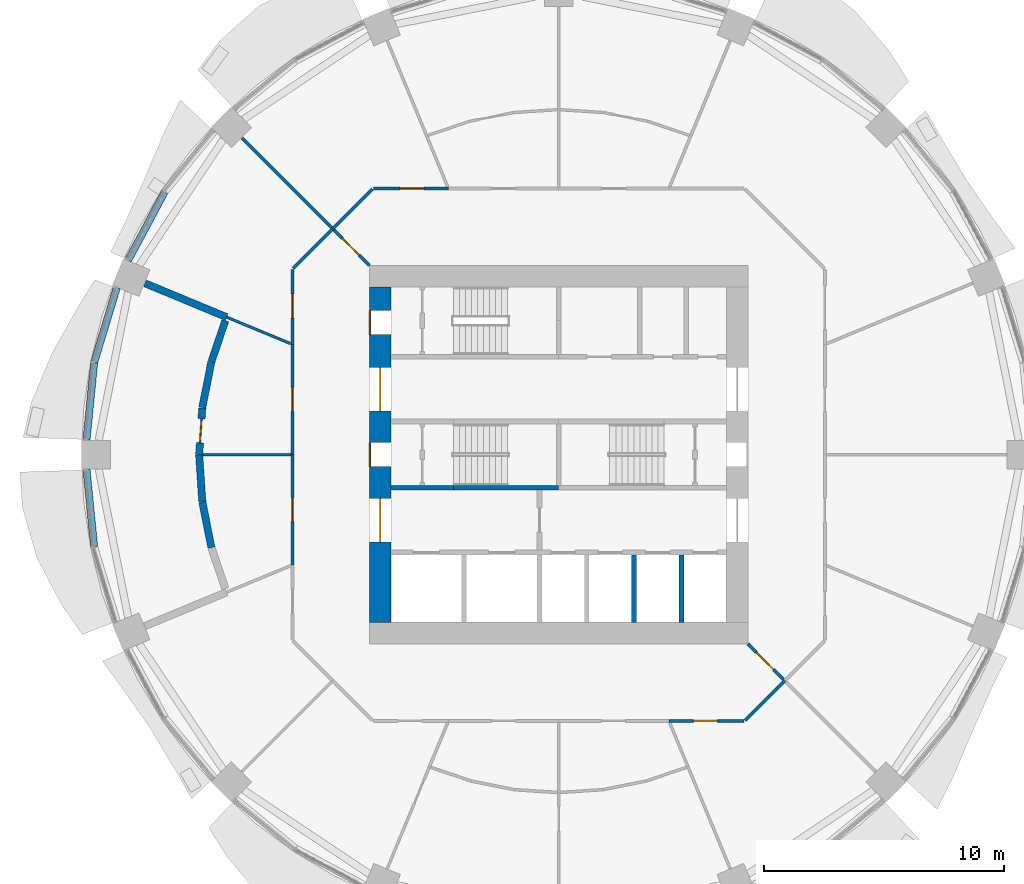
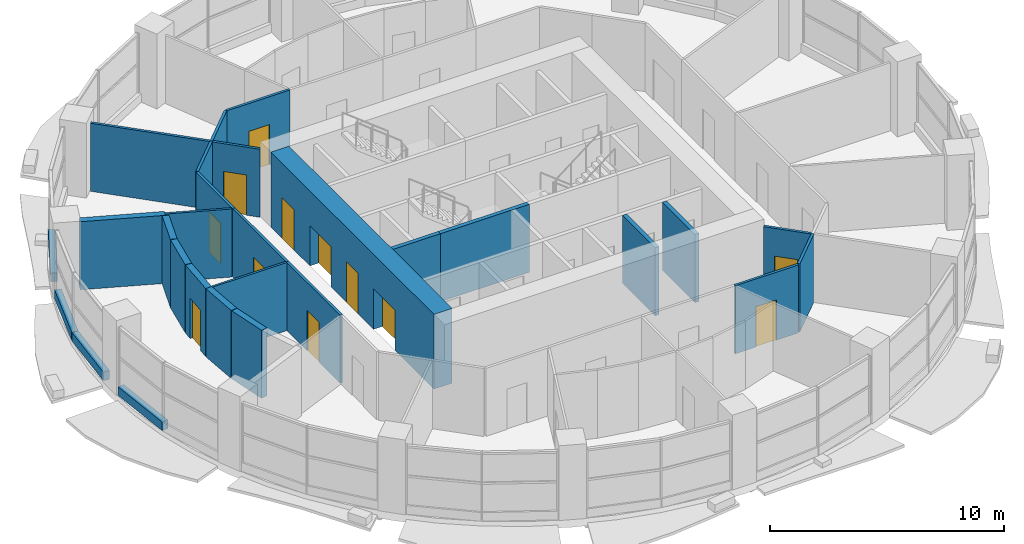
# One storey, part 8 of 15: 28 walls, 12 doors, 12 openings.
"""IFC4 building model written with IfcOpenShell, lengths in metres."""

from ifc_helpers import new_model, si_unit, direction, frame, frame_2d, origin, place, context, subcontext, project, spatial, rectangle, extrude, material, layer, layer_set, type_object, element, fill, save


model = new_model("IFC4")

# Units and contexts
model_context = context("Model", 3, precision=1e-05, world=origin(), true_north=direction((0.0, 1.0)))
body_context = subcontext(model_context, "Body", "Model", "MODEL_VIEW")
ifc_project = project(units=[si_unit("LENGTHUNIT", "METRE"), si_unit("AREAUNIT", "SQUARE_METRE"), si_unit("VOLUMEUNIT", "CUBIC_METRE"), si_unit("PLANEANGLEUNIT", "RADIAN"), si_unit("MASSUNIT", "GRAM", prefix="KILO")], contexts=[model_context])

# Site, building, storey
site_placement = place(None, origin())
site = spatial("IfcSite", under=ifc_project, at=site_placement, CompositionType="ELEMENT")
building_placement = place(site_placement, origin())
building = spatial("IfcBuilding", under=site, at=building_placement, Name="Polderwave Tower", CompositionType="ELEMENT")
storey_placement = place(building_placement, frame((0.0, 0.0, 18.5)))
storey = spatial("IfcBuildingStorey", under=building, at=storey_placement, Name="L04", CompositionType="ELEMENT", Elevation=18.5)

# Wall, openings, doors
ifc_material_1 = material(Name="Concrete C80/95", Category="concrete")
ifc_layer_1 = layer(ifc_material_1, 0.89990234375)
ifc_layer_set_1 = layer_set([ifc_layer_1], Name="CORE WALL 900 C80/95")
wall_type_1 = type_object("IfcWallType", Name="CORE WALL 900 C80/95", PredefinedType="SHEAR", material=ifc_layer_set_1)
wall_1_placement = place(storey_placement, frame((-7.424072265625, -6.97412109375, 0.0), z_axis=(0.0, 0.0, 1.0), x_axis=(0.0, 1.0, 0.0)))
wall_1 = element("IfcWall", 1, at=wall_1_placement, inside=storey, type_object=wall_type_1, Name="ST-CORE-L04-W", PredefinedType="SHEAR", context=body_context, shape_type="SweptSolid", body=[
    extrude(rectangle(XDim=13.9482421875, YDim=0.89990234375, at=frame_2d((6.97412109375, 0.0))), origin(), (0.0, 0.0, 1.0), 3.89990234375),
])
opening_1_placement = place(wall_1_placement, frame((6.47412109375, 0.0, 0.0)))
opening_1 = element("IfcOpeningElement", 2, at=opening_1_placement, cuts=wall_1, Name="Opening L04-D17", PredefinedType="OPENING", context=body_context, shape_type="SweptSolid", body=[
    extrude(rectangle(XDim=1.0, YDim=2.10009765625, at=frame_2d((0.5, 1.050048828125))), frame((0.0, 0.4599609375, 0.0), z_axis=(0.0, -1.0, 0.0), x_axis=(1.0, 0.0, 0.0)), (0.0, 0.0, 1.0), 0.919921875),
])
opening_2_placement = place(wall_1_placement, frame((3.349609375, 0.0, 0.0)))
opening_2 = element("IfcOpeningElement", 3, at=opening_2_placement, cuts=wall_1, Name="Opening L04-D18", PredefinedType="OPENING", context=body_context, shape_type="SweptSolid", body=[
    extrude(rectangle(XDim=1.800048828125, YDim=2.10009765625, at=frame_2d((0.89990234375, 1.050048828125))), frame((0.0, 0.4599609375, 0.0), z_axis=(0.0, -1.0, 0.0), x_axis=(1.0, 0.0, 0.0)), (0.0, 0.0, 1.0), 0.919921875),
])
opening_3_placement = place(wall_1_placement, frame((8.798583984375, 0.0, 0.0)))
opening_3 = element("IfcOpeningElement", 4, at=opening_3_placement, cuts=wall_1, Name="Opening L04-D19", PredefinedType="OPENING", context=body_context, shape_type="SweptSolid", body=[
    extrude(rectangle(XDim=1.800048828125, YDim=2.10009765625, at=frame_2d((0.89990234375, 1.050048828125))), frame((0.0, 0.4599609375, 0.0), z_axis=(0.0, -1.0, 0.0), x_axis=(1.0, 0.0, 0.0)), (0.0, 0.0, 1.0), 0.919921875),
])
opening_4_placement = place(wall_1_placement, frame((11.97412109375, 0.0, 0.0)))
opening_4 = element("IfcOpeningElement", 5, at=opening_4_placement, cuts=wall_1, Name="Opening L04-D20", PredefinedType="OPENING", context=body_context, shape_type="SweptSolid", body=[
    extrude(rectangle(XDim=1.0, YDim=2.10009765625, at=frame_2d((0.5, 1.050048828125))), frame((0.0, 0.4599609375, 0.0), z_axis=(0.0, -1.0, 0.0), x_axis=(1.0, 0.0, 0.0)), (0.0, 0.0, 1.0), 0.919921875),
])
ifc_material_2 = material(Name="Steel fire door", Category="steel")
door_type_1 = type_object("IfcDoorType", Name="Lobby entry door pair 1800", OperationType="DOUBLE_DOOR_SINGLE_SWING", PredefinedType="DOOR", material=ifc_material_2)
door_1_placement = place(opening_2_placement, origin())
door_1 = element("IfcDoor", 6, at=door_1_placement, inside=storey, type_object=door_type_1, Name="Fire-fighting lobby entry door", OperationType="DOUBLE_DOOR_SINGLE_SWING", OverallHeight=2.10009765625, OverallWidth=1.800048828125, PredefinedType="DOOR", context=body_context, shape_type="SweptSolid", body=[
    extrude(rectangle(XDim=1.800048828125, YDim=2.10009765625, at=frame_2d((0.89990234375, 1.050048828125))), frame((0.0, 0.02490234375, 0.0), z_axis=(0.0, -1.0, 0.0), x_axis=(1.0, 0.0, 0.0)), (0.0, 0.0, 1.0), 0.050048828125),
])
fill(opening_2, door_1)
door_2_placement = place(opening_3_placement, origin())
door_2 = element("IfcDoor", 7, at=door_2_placement, inside=storey, type_object=door_type_1, Name="North lobby entry door", OperationType="DOUBLE_DOOR_SINGLE_SWING", OverallHeight=2.10009765625, OverallWidth=1.800048828125, PredefinedType="DOOR", context=body_context, shape_type="SweptSolid", body=[
    extrude(rectangle(XDim=1.800048828125, YDim=2.10009765625, at=frame_2d((0.89990234375, 1.050048828125))), frame((0.0, 0.02490234375, 0.0), z_axis=(0.0, -1.0, 0.0), x_axis=(1.0, 0.0, 0.0)), (0.0, 0.0, 1.0), 0.050048828125),
])
fill(opening_3, door_2)
door_type_2 = type_object("IfcDoorType", Name="Stair door 1000", OperationType="NOTDEFINED", PredefinedType="DOOR", material=ifc_material_2)
door_3_placement = place(opening_1_placement, origin())
door_3 = element("IfcDoor", 8, at=door_3_placement, inside=storey, type_object=door_type_2, Name="Stair A entry door", OperationType="SINGLE_SWING_RIGHT", OverallHeight=2.10009765625, OverallWidth=1.0, PredefinedType="DOOR", context=body_context, shape_type="SweptSolid", body=[
    extrude(rectangle(XDim=1.0, YDim=2.10009765625, at=frame_2d((0.5, 1.050048828125))), frame((0.0, 0.4501953125, 0.0), z_axis=(0.0, -1.0, 0.0), x_axis=(1.0, 0.0, 0.0)), (0.0, 0.0, 1.0), 0.050048828125),
])
fill(opening_1, door_3)
door_4_placement = place(opening_4_placement, origin())
door_4 = element("IfcDoor", 9, at=door_4_placement, inside=storey, type_object=door_type_2, Name="Stair C entry door", OperationType="SINGLE_SWING_RIGHT", OverallHeight=2.10009765625, OverallWidth=1.0, PredefinedType="DOOR", context=body_context, shape_type="SweptSolid", body=[
    extrude(rectangle(XDim=1.0, YDim=2.10009765625, at=frame_2d((0.5, 1.050048828125))), frame((0.0, 0.4501953125, 0.0), z_axis=(0.0, -1.0, 0.0), x_axis=(1.0, 0.0, 0.0)), (0.0, 0.0, 1.0), 0.050048828125),
])
fill(opening_4, door_4)

# Wall, opening, door
ifc_material_3 = material(Name="Insulated sandwich panel")
ifc_layer_2 = layer(ifc_material_3, 0.300048828125)
ifc_layer_set_2 = layer_set([ifc_layer_2], Name="Cold room wall 300 mm insulated panel")
wall_type_2 = type_object("IfcWallType", Name="Cold room wall 300 mm insulated panel", PredefinedType="PARTITIONING", material=ifc_layer_set_2)
wall_2_placement = place(storey_placement, frame((-14.9599609375, 0.0, 0.0), z_axis=(0.0, 0.0, 1.0), x_axis=(0.065453710316, 0.997855606692, 0.0)))
wall_2 = element("IfcWall", 10, at=wall_2_placement, inside=storey, type_object=wall_type_2, Name="IN-L04-W043", PredefinedType="PARTITIONING", context=body_context, shape_type="SweptSolid", body=[
    extrude(rectangle(XDim=1.947021484375, YDim=0.300048828125, at=frame_2d((0.9736328125, 0.0))), origin(), (0.0, 0.0, 1.0), 3.550048828125),
])
opening_5_placement = place(wall_2_placement, frame((0.5, 0.0, 0.0)))
opening_5 = element("IfcOpeningElement", 11, at=opening_5_placement, cuts=wall_2, Name="Opening L04-D69", PredefinedType="OPENING", context=body_context, shape_type="SweptSolid", body=[
    extrude(rectangle(XDim=1.0, YDim=2.10009765625, at=frame_2d((0.5, 1.050048828125))), frame((0.0, 0.159912109375, 0.0), z_axis=(0.0, -1.0, 0.0), x_axis=(1.0, 0.0, 0.0)), (0.0, 0.0, 1.0), 0.320068359375),
])
ifc_material_4 = material(Name="Steel plant door leaf", Category="steel")
door_type_3 = type_object("IfcDoorType", Name="Plant door FD60 1000 x 2100 steel", OperationType="NOTDEFINED", PredefinedType="DOOR", material=ifc_material_4)
door_5_placement = place(opening_5_placement, origin())
door_5 = element("IfcDoor", 12, at=door_5_placement, inside=storey, type_object=door_type_3, Name="Door L04-D69", OperationType="SINGLE_SWING_RIGHT", OverallHeight=2.10009765625, OverallWidth=1.0, PredefinedType="DOOR", context=body_context, shape_type="SweptSolid", body=[
    extrude(rectangle(XDim=1.0, YDim=2.10009765625, at=frame_2d((0.5, 1.050048828125))), frame((0.0, 0.02490234375, 0.0), z_axis=(0.0, -1.0, 0.0), x_axis=(1.0, 0.0, 0.0)), (0.0, 0.0, 1.0), 0.050048828125),
])
fill(opening_5, door_5)

# Walls
wall_3_placement = place(storey_placement, frame((-14.830078125, 1.96240234375, 0.0), z_axis=(0.0, 0.0, 1.0), x_axis=(0.195098075877, 0.980783738033, 0.0)))
element("IfcWall", 13, at=wall_3_placement, inside=storey, type_object=wall_type_2, Name="IN-L04-W044", PredefinedType="PARTITIONING", context=body_context, shape_type="SweptSolid", body=[
    extrude(rectangle(XDim=1.93701171875, YDim=0.300048828125, at=frame_2d((0.968505859375, 0.0))), origin(), (0.0, 0.0, 1.0), 3.550048828125),
])
wall_4_placement = place(storey_placement, frame((-14.447021484375, 3.881103515625, 0.0), z_axis=(0.0, 0.0, 1.0), x_axis=(0.321346666159, 0.946961625489, 0.0)))
element("IfcWall", 14, at=wall_4_placement, inside=storey, type_object=wall_type_2, Name="IN-L04-W045", PredefinedType="PARTITIONING", context=body_context, shape_type="SweptSolid", body=[
    extrude(rectangle(XDim=1.786865234375, YDim=0.300048828125, at=frame_2d((0.8935546875, 0.0))), origin(), (0.0, 0.0, 1.0), 3.550048828125),
])
wall_5_placement = place(storey_placement, frame((-13.8212890625, 5.724853515625, 0.0), z_axis=(0.0, 0.0, 1.0), x_axis=(-0.923870076355, 0.382706260748, 0.0)))
element("IfcWall", 15, at=wall_5_placement, inside=storey, type_object=wall_type_2, Name="IN-L04-W047", PredefinedType="PARTITIONING", context=body_context, shape_type="SweptSolid", body=[
    extrude(rectangle(XDim=3.669921875, YDim=0.300048828125, at=frame_2d((1.8349609375, 0.0))), origin(), (0.0, 0.0, 1.0), 3.550048828125),
])
wall_6_placement = place(storey_placement, frame((-14.9599609375, 0.0, 0.0), z_axis=(0.0, 0.0, 1.0), x_axis=(0.065453710316, -0.997855606692, 0.0)))
element("IfcWall", 16, at=wall_6_placement, inside=storey, type_object=wall_type_2, Name="IN-L04-W048", PredefinedType="PARTITIONING", context=body_context, shape_type="SweptSolid", body=[
    extrude(rectangle(XDim=1.947021484375, YDim=0.300048828125, at=frame_2d((0.9736328125, 0.0))), origin(), (0.0, 0.0, 1.0), 3.550048828125),
])
wall_7_placement = place(storey_placement, frame((-14.830078125, -1.96240234375, 0.0), z_axis=(0.0, 0.0, 1.0), x_axis=(0.195098075877, -0.980783738033, 0.0)))
element("IfcWall", 17, at=wall_7_placement, inside=storey, type_object=wall_type_2, Name="IN-L04-W049", PredefinedType="PARTITIONING", context=body_context, shape_type="SweptSolid", body=[
    extrude(rectangle(XDim=1.93701171875, YDim=0.300048828125, at=frame_2d((0.968505859375, 0.0))), origin(), (0.0, 0.0, 1.0), 3.550048828125),
])
ifc_material_5 = material(Name="Concrete C50/60 (board-marked)", Category="concrete")
ifc_layer_3 = layer(ifc_material_5, 0.300048828125)
ifc_layer_set_3 = layer_set([ifc_layer_3], Name="Concrete spandrel upstand C50/60")
wall_type_3 = type_object("IfcWallType", Name="Concrete spandrel upstand C50/60", PredefinedType="SOLIDWALL", material=ifc_layer_set_3)
for number, where, z_axis, x_axis, name in (
    (18, (-16.39501953125, 10.936767578125, 0.0), (0.0, 0.0, 1.0), (-0.471458300233, -0.881888355259, 0.0), "Spandrel L04 7b"),
    (19, (-18.388427734375, 6.95263671875, 0.0), (0.0, 0.0, 1.0), (-0.290256839806, -0.956948779688, 0.0), "Spandrel L04 8a"),
):
    element("IfcWall", number, at=place(storey_placement, frame(where, z_axis=z_axis, x_axis=x_axis)), inside=storey, type_object=wall_type_3, Name=name, PredefinedType="SOLIDWALL", context=body_context, shape_type="SweptSolid", body=[
        extrude(rectangle(XDim=3.232421875, YDim=0.300048828125, at=frame_2d((1.6162109375, 0.0))), origin(), (0.0, 0.0, 1.0), 0.449951171875),
    ])
for number, where, z_axis, x_axis, name in (
    (20, (-19.33251953125, 3.830078125, 0.0), (0.0, 0.0, 1.0), (-0.098023145206, -0.995184135225, 0.0), "Spandrel L04 8b"),
    (21, (-19.6494140625, -0.61279296875, 0.0), (0.0, 0.0, 1.0), (0.098023145206, -0.995184135225, 0.0), "Spandrel L04 9a"),
):
    element("IfcWall", number, at=place(storey_placement, frame(where, z_axis=z_axis, x_axis=x_axis)), inside=storey, type_object=wall_type_3, Name=name, PredefinedType="SOLIDWALL", context=body_context, shape_type="SweptSolid", body=[
        extrude(rectangle(XDim=3.23291015625, YDim=0.300048828125, at=frame_2d((1.616455078125, 0.0))), origin(), (0.0, 0.0, 1.0), 0.449951171875),
    ])
ifc_material_6 = material(Name="Concrete C50/60", Category="concrete")
ifc_layer_4 = layer(ifc_material_6, 0.199951171875)
ifc_layer_set_4 = layer_set([ifc_layer_4], Name="Core web wall 200")
wall_type_4 = type_object("IfcWallType", Name="Core web wall 200", PredefinedType="SHEAR", material=ifc_layer_set_4)
wall_8_placement = place(storey_placement, frame((-6.97412109375, -1.375, 0.0), z_axis=(0.0, 0.0, 1.0), x_axis=(1.0, 0.0, 0.0)))
element("IfcWall", 22, at=wall_8_placement, inside=storey, type_object=wall_type_4, Name="L04 south stair wall 1", PredefinedType="SHEAR", context=body_context, shape_type="SweptSolid", body=[
    extrude(rectangle(XDim=2.60009765625, YDim=0.199951171875, at=frame_2d((1.300048828125, 0.0))), origin(), (0.0, 0.0, 1.0), 3.550048828125),
])
wall_9_placement = place(storey_placement, frame((-4.3740234375, -1.375, 0.0), z_axis=(0.0, 0.0, 1.0), x_axis=(1.0, 0.0, 0.0)))
element("IfcWall", 23, at=wall_9_placement, inside=storey, type_object=wall_type_4, Name="L04 south stair wall 2", PredefinedType="SHEAR", context=body_context, shape_type="SweptSolid", body=[
    extrude(rectangle(XDim=4.3740234375, YDim=0.199951171875, at=frame_2d((2.18701171875, 0.0))), origin(), (0.0, 0.0, 1.0), 3.550048828125),
])

# Wall, opening, door
ifc_material_7 = material(Name="Fire-resisting board on steel studs", Category="steel")
ifc_layer_5 = layer(ifc_material_7, 0.125)
ifc_layer_set_5 = layer_set([ifc_layer_5], Name="Corridor wall 125 mm EI 60")
wall_type_5 = type_object("IfcWallType", Name="Corridor wall 125 mm EI 60", PredefinedType="PARTITIONING", material=ifc_layer_set_5)
wall_10_placement = place(storey_placement, frame((9.3603515625, -9.3603515625, 0.0), z_axis=(0.0, 0.0, 1.0), x_axis=(-0.707106781187, 0.707106781187, 0.0)))
wall_10 = element("IfcWall", 24, at=wall_10_placement, inside=storey, type_object=wall_type_5, Name="IN-L04-W001", PredefinedType="PARTITIONING", context=body_context, shape_type="SweptSolid", body=[
    extrude(rectangle(XDim=2.10205078125, YDim=0.125, at=frame_2d((1.051025390625, 0.0))), origin(), (0.0, 0.0, 1.0), 3.550048828125),
])
opening_6_placement = place(wall_10_placement, frame((0.60009765625, 0.0, 0.0)))
opening_6 = element("IfcOpeningElement", 25, at=opening_6_placement, cuts=wall_10, Name="Opening L04-D50", PredefinedType="OPENING", context=body_context, shape_type="SweptSolid", body=[
    extrude(rectangle(XDim=1.0, YDim=2.10009765625, at=frame_2d((0.5, 1.050048828125))), frame((0.0, 0.072509765625, 0.0), z_axis=(0.0, -1.0, 0.0), x_axis=(1.0, 0.0, 0.0)), (0.0, 0.0, 1.0), 0.14501953125),
])
ifc_material_8 = material(Name="Timber fire door leaf", Category="wood")
door_type_4 = type_object("IfcDoorType", Name="Fire door FD30S 1000 x 2100", OperationType="NOTDEFINED", PredefinedType="DOOR", material=ifc_material_8)
door_6_placement = place(opening_6_placement, origin())
door_6 = element("IfcDoor", 26, at=door_6_placement, inside=storey, type_object=door_type_4, Name="Door L04-D50", OperationType="SINGLE_SWING_RIGHT", OverallHeight=2.10009765625, OverallWidth=1.0, PredefinedType="DOOR", context=body_context, shape_type="SweptSolid", body=[
    extrude(rectangle(XDim=1.0, YDim=2.10009765625, at=frame_2d((0.5, 1.050048828125))), frame((0.0, 0.02490234375, 0.0), z_axis=(0.0, -1.0, 0.0), x_axis=(1.0, 0.0, 0.0)), (0.0, 0.0, 1.0), 0.050048828125),
])
fill(opening_6, door_6)

wall_11_placement = place(storey_placement, frame((-7.8740234375, 7.8740234375, 0.0), z_axis=(0.0, 0.0, 1.0), x_axis=(-0.707106781187, 0.707106781187, 0.0)))
wall_11 = element("IfcWall", 27, at=wall_11_placement, inside=storey, type_object=wall_type_5, Name="IN-L04-W008", PredefinedType="PARTITIONING", context=body_context, shape_type="SweptSolid", body=[
    extrude(rectangle(XDim=2.10205078125, YDim=0.125, at=frame_2d((1.051025390625, 0.0))), origin(), (0.0, 0.0, 1.0), 3.550048828125),
])
opening_7_placement = place(wall_11_placement, frame((0.60009765625, 0.0, 0.0)))
opening_7 = element("IfcOpeningElement", 28, at=opening_7_placement, cuts=wall_11, Name="Opening L04-D55", PredefinedType="OPENING", context=body_context, shape_type="SweptSolid", body=[
    extrude(rectangle(XDim=1.0, YDim=2.10009765625, at=frame_2d((0.5, 1.050048828125))), frame((0.0, 0.072509765625, 0.0), z_axis=(0.0, -1.0, 0.0), x_axis=(1.0, 0.0, 0.0)), (0.0, 0.0, 1.0), 0.14501953125),
])
door_7_placement = place(opening_7_placement, origin())
door_7 = element("IfcDoor", 29, at=door_7_placement, inside=storey, type_object=door_type_4, Name="Door L04-D55", OperationType="SINGLE_SWING_RIGHT", OverallHeight=2.10009765625, OverallWidth=1.0, PredefinedType="DOOR", context=body_context, shape_type="SweptSolid", body=[
    extrude(rectangle(XDim=1.0, YDim=2.10009765625, at=frame_2d((0.5, 1.050048828125))), frame((0.0, 0.02490234375, 0.0), z_axis=(0.0, -1.0, 0.0), x_axis=(1.0, 0.0, 0.0)), (0.0, 0.0, 1.0), 0.050048828125),
])
fill(opening_7, door_7)

# Wall
wall_12_placement = place(storey_placement, frame((-9.404541015625, 9.404541015625, 0.0), z_axis=(0.0, 0.0, 1.0), x_axis=(0.707106781187, 0.707106781187, 0.0)))
element("IfcWall", 30, at=wall_12_placement, inside=storey, type_object=wall_type_5, Name="IN-L04-W013", PredefinedType="PARTITIONING", context=body_context, shape_type="SweptSolid", body=[
    extrude(rectangle(XDim=2.3349609375, YDim=0.125, at=frame_2d((1.16748046875, 0.0))), origin(), (0.0, 0.0, 1.0), 3.550048828125),
])

# Wall, opening, door
wall_13_placement = place(storey_placement, frame((-7.708984375, 11.073974609375, 0.0), z_axis=(0.0, 0.0, 1.0), x_axis=(1.0, 0.0, 0.0)))
wall_13 = element("IfcWall", 31, at=wall_13_placement, inside=storey, type_object=wall_type_5, Name="IN-L04-W014", PredefinedType="PARTITIONING", context=body_context, shape_type="SweptSolid", body=[
    extrude(rectangle(XDim=3.1220703125, YDim=0.125, at=frame_2d((1.56103515625, 0.0))), origin(), (0.0, 0.0, 1.0), 3.550048828125),
])
opening_8_placement = place(wall_13_placement, frame((1.10009765625, 0.0, 0.0)))
opening_8 = element("IfcOpeningElement", 32, at=opening_8_placement, cuts=wall_13, Name="Opening L04-D58", PredefinedType="OPENING", context=body_context, shape_type="SweptSolid", body=[
    extrude(rectangle(XDim=1.0, YDim=2.10009765625, at=frame_2d((0.5, 1.050048828125))), frame((0.0, 0.072509765625, 0.0), z_axis=(0.0, -1.0, 0.0), x_axis=(1.0, 0.0, 0.0)), (0.0, 0.0, 1.0), 0.14501953125),
])
door_8_placement = place(opening_8_placement, origin())
door_8 = element("IfcDoor", 33, at=door_8_placement, inside=storey, type_object=door_type_4, Name="Door L04-D58", OperationType="SINGLE_SWING_RIGHT", OverallHeight=2.10009765625, OverallWidth=1.0, PredefinedType="DOOR", context=body_context, shape_type="SweptSolid", body=[
    extrude(rectangle(XDim=1.0, YDim=2.10009765625, at=frame_2d((0.5, 1.050048828125))), frame((0.0, 0.02490234375, 0.0), z_axis=(0.0, -1.0, 0.0), x_axis=(1.0, 0.0, 0.0)), (0.0, 0.0, 1.0), 0.050048828125),
])
fill(opening_8, door_8)

wall_14_placement = place(storey_placement, frame((-11.073974609375, 0.0, 0.0), z_axis=(0.0, 0.0, 1.0), x_axis=(0.0, 1.0, 0.0)))
wall_14 = element("IfcWall", 34, at=wall_14_placement, inside=storey, type_object=wall_type_5, Name="IN-L04-W015", PredefinedType="PARTITIONING", context=body_context, shape_type="SweptSolid", body=[
    extrude(rectangle(XDim=4.5869140625, YDim=0.125, at=frame_2d((2.29345703125, 0.0))), origin(), (0.0, 0.0, 1.0), 3.550048828125),
])
opening_9_placement = place(wall_14_placement, frame((1.800048828125, 0.0, 0.0)))
opening_9 = element("IfcOpeningElement", 35, at=opening_9_placement, cuts=wall_14, Name="Opening L04-D59", PredefinedType="OPENING", context=body_context, shape_type="SweptSolid", body=[
    extrude(rectangle(XDim=1.0, YDim=2.10009765625, at=frame_2d((0.5, 1.050048828125))), frame((0.0, 0.072509765625, 0.0), z_axis=(0.0, -1.0, 0.0), x_axis=(1.0, 0.0, 0.0)), (0.0, 0.0, 1.0), 0.14501953125),
])
door_9_placement = place(opening_9_placement, origin())
door_9 = element("IfcDoor", 36, at=door_9_placement, inside=storey, type_object=door_type_4, Name="Door L04-D59", OperationType="SINGLE_SWING_RIGHT", OverallHeight=2.10009765625, OverallWidth=1.0, PredefinedType="DOOR", context=body_context, shape_type="SweptSolid", body=[
    extrude(rectangle(XDim=1.0, YDim=2.10009765625, at=frame_2d((0.5, 1.050048828125))), frame((0.0, 0.02490234375, 0.0), z_axis=(0.0, -1.0, 0.0), x_axis=(1.0, 0.0, 0.0)), (0.0, 0.0, 1.0), 0.050048828125),
])
fill(opening_9, door_9)

wall_15_placement = place(storey_placement, frame((-11.073974609375, 4.5869140625, 0.0), z_axis=(0.0, 0.0, 1.0), x_axis=(0.0, 1.0, 0.0)))
wall_15 = element("IfcWall", 37, at=wall_15_placement, inside=storey, type_object=wall_type_5, Name="IN-L04-W016", PredefinedType="PARTITIONING", context=body_context, shape_type="SweptSolid", body=[
    extrude(rectangle(XDim=3.1220703125, YDim=0.125, at=frame_2d((1.56103515625, 0.0))), origin(), (0.0, 0.0, 1.0), 3.550048828125),
])
opening_10_placement = place(wall_15_placement, frame((1.10009765625, 0.0, 0.0)))
opening_10 = element("IfcOpeningElement", 38, at=opening_10_placement, cuts=wall_15, Name="Opening L04-D60", PredefinedType="OPENING", context=body_context, shape_type="SweptSolid", body=[
    extrude(rectangle(XDim=1.0, YDim=2.10009765625, at=frame_2d((0.5, 1.050048828125))), frame((0.0, 0.072509765625, 0.0), z_axis=(0.0, -1.0, 0.0), x_axis=(1.0, 0.0, 0.0)), (0.0, 0.0, 1.0), 0.14501953125),
])
door_10_placement = place(opening_10_placement, origin())
door_10 = element("IfcDoor", 39, at=door_10_placement, inside=storey, type_object=door_type_4, Name="Door L04-D60", OperationType="SINGLE_SWING_RIGHT", OverallHeight=2.10009765625, OverallWidth=1.0, PredefinedType="DOOR", context=body_context, shape_type="SweptSolid", body=[
    extrude(rectangle(XDim=1.0, YDim=2.10009765625, at=frame_2d((0.5, 1.050048828125))), frame((0.0, 0.02490234375, 0.0), z_axis=(0.0, -1.0, 0.0), x_axis=(1.0, 0.0, 0.0)), (0.0, 0.0, 1.0), 0.050048828125),
])
fill(opening_10, door_10)

# Wall
wall_16_placement = place(storey_placement, frame((-11.0556640625, 7.75341796875, 0.0), z_axis=(0.0, 0.0, 1.0), x_axis=(0.707106781187, 0.707106781187, 0.0)))
element("IfcWall", 40, at=wall_16_placement, inside=storey, type_object=wall_type_5, Name="IN-L04-W017", PredefinedType="PARTITIONING", context=body_context, shape_type="SweptSolid", body=[
    extrude(rectangle(XDim=2.3349609375, YDim=0.125, at=frame_2d((1.16748046875, 0.0))), origin(), (0.0, 0.0, 1.0), 3.550048828125),
])

# Wall, opening, door
wall_17_placement = place(storey_placement, frame((-11.073974609375, -4.5869140625, 0.0), z_axis=(0.0, 0.0, 1.0), x_axis=(0.0, 1.0, 0.0)))
wall_17 = element("IfcWall", 41, at=wall_17_placement, inside=storey, type_object=wall_type_5, Name="IN-L04-W018", PredefinedType="PARTITIONING", context=body_context, shape_type="SweptSolid", body=[
    extrude(rectangle(XDim=4.5869140625, YDim=0.125, at=frame_2d((2.29345703125, 0.0))), origin(), (0.0, 0.0, 1.0), 3.550048828125),
])
opening_11_placement = place(wall_17_placement, frame((1.800048828125, 0.0, 0.0)))
opening_11 = element("IfcOpeningElement", 42, at=opening_11_placement, cuts=wall_17, Name="Opening L04-D61", PredefinedType="OPENING", context=body_context, shape_type="SweptSolid", body=[
    extrude(rectangle(XDim=1.0, YDim=2.10009765625, at=frame_2d((0.5, 1.050048828125))), frame((0.0, 0.072509765625, 0.0), z_axis=(0.0, -1.0, 0.0), x_axis=(1.0, 0.0, 0.0)), (0.0, 0.0, 1.0), 0.14501953125),
])
door_11_placement = place(opening_11_placement, origin())
door_11 = element("IfcDoor", 43, at=door_11_placement, inside=storey, type_object=door_type_4, Name="Door L04-D61", OperationType="SINGLE_SWING_RIGHT", OverallHeight=2.10009765625, OverallWidth=1.0, PredefinedType="DOOR", context=body_context, shape_type="SweptSolid", body=[
    extrude(rectangle(XDim=1.0, YDim=2.10009765625, at=frame_2d((0.5, 1.050048828125))), frame((0.0, 0.02490234375, 0.0), z_axis=(0.0, -1.0, 0.0), x_axis=(1.0, 0.0, 0.0)), (0.0, 0.0, 1.0), 0.050048828125),
])
fill(opening_11, door_11)

wall_18_placement = place(storey_placement, frame((7.708984375, -11.073974609375, 0.0), z_axis=(0.0, 0.0, 1.0), x_axis=(-1.0, 0.0, 0.0)))
wall_18 = element("IfcWall", 44, at=wall_18_placement, inside=storey, type_object=wall_type_5, Name="IN-L04-W025", PredefinedType="PARTITIONING", context=body_context, shape_type="SweptSolid", body=[
    extrude(rectangle(XDim=3.1220703125, YDim=0.125, at=frame_2d((1.56103515625, 0.0))), origin(), (0.0, 0.0, 1.0), 3.550048828125),
])
opening_12_placement = place(wall_18_placement, frame((1.10009765625, 0.0, 0.0)))
opening_12 = element("IfcOpeningElement", 45, at=opening_12_placement, cuts=wall_18, Name="Opening L04-D66", PredefinedType="OPENING", context=body_context, shape_type="SweptSolid", body=[
    extrude(rectangle(XDim=1.0, YDim=2.10009765625, at=frame_2d((0.5, 1.050048828125))), frame((0.0, 0.072509765625, 0.0), z_axis=(0.0, -1.0, 0.0), x_axis=(1.0, 0.0, 0.0)), (0.0, 0.0, 1.0), 0.14501953125),
])
door_12_placement = place(opening_12_placement, origin())
door_12 = element("IfcDoor", 46, at=door_12_placement, inside=storey, type_object=door_type_4, Name="Door L04-D66", OperationType="SINGLE_SWING_RIGHT", OverallHeight=2.10009765625, OverallWidth=1.0, PredefinedType="DOOR", context=body_context, shape_type="SweptSolid", body=[
    extrude(rectangle(XDim=1.0, YDim=2.10009765625, at=frame_2d((0.5, 1.050048828125))), frame((0.0, 0.02490234375, 0.0), z_axis=(0.0, -1.0, 0.0), x_axis=(1.0, 0.0, 0.0)), (0.0, 0.0, 1.0), 0.050048828125),
])
fill(opening_12, door_12)

# Walls
wall_19_placement = place(storey_placement, frame((9.404541015625, -9.404541015625, 0.0), z_axis=(0.0, 0.0, 1.0), x_axis=(-0.707106781187, -0.707106781187, 0.0)))
element("IfcWall", 47, at=wall_19_placement, inside=storey, type_object=wall_type_5, Name="IN-L04-W026", PredefinedType="PARTITIONING", context=body_context, shape_type="SweptSolid", body=[
    extrude(rectangle(XDim=2.3349609375, YDim=0.125, at=frame_2d((1.16748046875, 0.0))), origin(), (0.0, 0.0, 1.0), 3.550048828125),
])
wall_20_placement = place(storey_placement, frame((-9.44873046875, 9.44873046875, 0.0), z_axis=(0.0, 0.0, 1.0), x_axis=(-0.707106781187, 0.707106781187, 0.0)))
element("IfcWall", 48, at=wall_20_placement, inside=storey, type_object=wall_type_5, Name="IN-L04-W041", PredefinedType="PARTITIONING", context=body_context, shape_type="SweptSolid", body=[
    extrude(rectangle(XDim=5.267333984375, YDim=0.125, at=frame_2d((2.6337890625, 0.0))), origin(), (0.0, 0.0, 1.0), 3.550048828125),
])
ifc_material_9 = material(Name="Moisture-resistant board on steel studs, tiled", Category="steel")
ifc_layer_6 = layer(ifc_material_9, 0.10498046875)
ifc_layer_set_6 = layer_set([ifc_layer_6], Name="Partition 105 mm wet room board and tile")
wall_type_6 = type_object("IfcWallType", Name="Partition 105 mm wet room board and tile", PredefinedType="PARTITIONING", material=ifc_layer_set_6)
wall_21_placement = place(storey_placement, frame((-11.136474609375, 0.0, 0.0), z_axis=(0.0, 0.0, 1.0), x_axis=(-1.0, 0.0, 0.0)))
element("IfcWall", 49, at=wall_21_placement, inside=storey, type_object=wall_type_6, Name="IN-L04-W046", PredefinedType="PARTITIONING", context=body_context, shape_type="SweptSolid", body=[
    extrude(rectangle(XDim=3.669677734375, YDim=0.10498046875, at=frame_2d((1.8349609375, 0.0))), origin(), (0.0, 0.0, 1.0), 3.550048828125),
])
ifc_material_10 = material(Name="Acoustic double plasterboard on steel studs", Category="steel")
ifc_layer_7 = layer(ifc_material_10, 0.110107421875)
ifc_layer_set_7 = layer_set([ifc_layer_7], Name="Partition 110 mm acoustic double board")
wall_type_7 = type_object("IfcWallType", Name="Partition 110 mm acoustic double board", PredefinedType="PARTITIONING", material=ifc_layer_set_7)
wall_22_placement = place(storey_placement, frame((-13.8212890625, 5.724853515625, 0.0), z_axis=(0.0, 0.0, 1.0), x_axis=(0.923894026861, -0.382648438034, 0.0)))
element("IfcWall", 50, at=wall_22_placement, inside=storey, type_object=wall_type_7, Name="IN-L04-W042", PredefinedType="PARTITIONING", context=body_context, shape_type="SweptSolid", body=[
    extrude(rectangle(XDim=2.88330078125, YDim=0.110107421875, at=frame_2d((1.441650390625, 0.0))), origin(), (0.0, 0.0, 1.0), 3.550048828125),
])
ifc_material_11 = material(Name="Gypsum shaft wall system")
ifc_layer_8 = layer(ifc_material_11, 0.199951171875)
ifc_layer_set_8 = layer_set([ifc_layer_8], Name="Shaft wall 200")
wall_type_8 = type_object("IfcWallType", Name="Shaft wall 200", PredefinedType="PARTITIONING", material=ifc_layer_set_8)
for number, where, z_axis, x_axis, name in (
    (51, (3.136962890625, -6.97412109375, 0.0), (0.0, 0.0, 1.0), (0.0, 1.0, 0.0), "L04 lift shaft wall 2"),
    (52, (5.10546875, -6.97412109375, 0.0), (0.0, 0.0, 1.0), (0.0, 1.0, 0.0), "L04 lift shaft wall 3"),
):
    element("IfcWall", number, at=place(storey_placement, frame(where, z_axis=z_axis, x_axis=x_axis)), inside=storey, type_object=wall_type_8, Name=name, PredefinedType="PARTITIONING", context=body_context, shape_type="SweptSolid", body=[
        extrude(rectangle(XDim=2.800048828125, YDim=0.199951171875, at=frame_2d((1.39990234375, 0.0))), origin(), (0.0, 0.0, 1.0), 3.550048828125),
    ])

save(model, "model.ifc")
